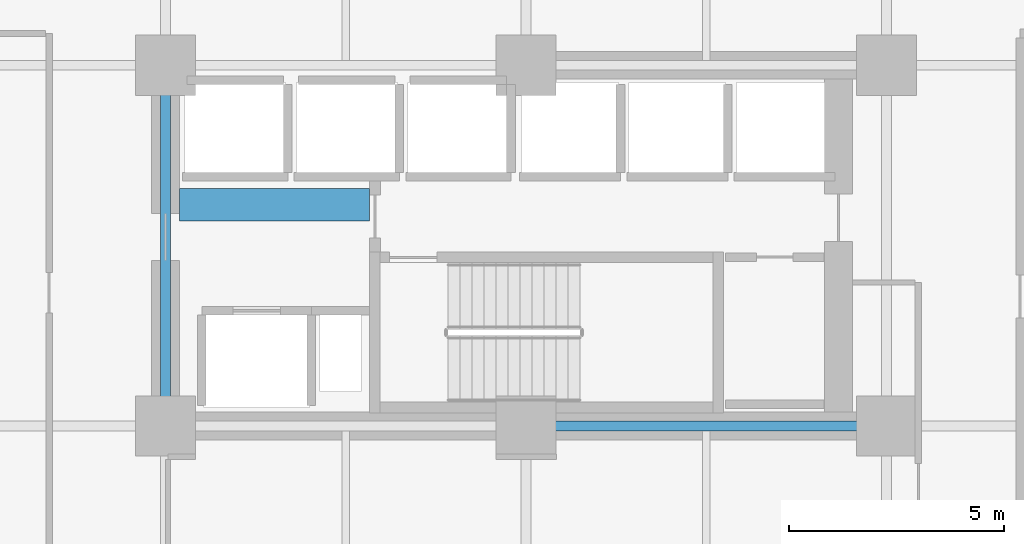
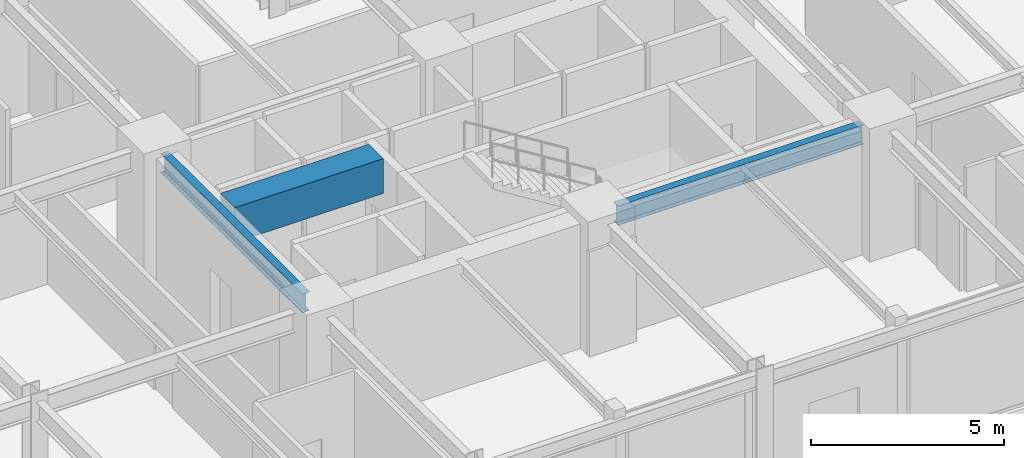
# One storey, part 5 of 25: 3 beams.
"""IFC4 building model written with IfcOpenShell, lengths in metres."""

from ifc_helpers import new_model, si_unit, direction, frame, origin, origin_2d, place, context, subcontext, project, spatial, rectangle, i_section, extrude, material, material_profile, profile_set, type_object, element, save


model = new_model("IFC4")

# Units and contexts
model_context = context("Model", 3, precision=1e-05, world=origin(), true_north=direction((0.0, 1.0)))
body_context = subcontext(model_context, "Body", "Model", "MODEL_VIEW")
ifc_project = project(units=[si_unit("LENGTHUNIT", "METRE"), si_unit("AREAUNIT", "SQUARE_METRE"), si_unit("VOLUMEUNIT", "CUBIC_METRE"), si_unit("PLANEANGLEUNIT", "RADIAN"), si_unit("MASSUNIT", "GRAM", prefix="KILO")], contexts=[model_context])

# Site, building, storey
site_placement = place(None, origin())
site = spatial("IfcSite", under=ifc_project, at=site_placement, CompositionType="ELEMENT")
building_placement = place(site_placement, origin())
building = spatial("IfcBuilding", under=site, at=building_placement, Name="Nerrivon Quay Data Exchange", CompositionType="ELEMENT")
storey_placement = place(building_placement, frame((0.0, 0.0, 29.0)))
storey = spatial("IfcBuildingStorey", under=building, at=storey_placement, Name="L06", CompositionType="ELEMENT", Elevation=29.0)

# Beams
ifc_material_1 = material(Name="Concrete S65 (65 MPa)", Category="concrete")
ifc_material_profile_1 = material_profile(ifc_material_1, rectangle(XDim=0.75, YDim=1.10009765625, at=origin_2d()), Name="RC-CB-750x1100")
ifc_profile_set_1 = profile_set([ifc_material_profile_1], Name="Concrete S65 (65 MPa)")
beam_type_1 = type_object("IfcBeamType", Name="BM-CB1-750x1100", PredefinedType="LINTEL", material=ifc_profile_set_1)
beam_1_placement = place(storey_placement, frame((17.125, 13.550048828125, 3.375), z_axis=(1.0, 0.0, 0.0), x_axis=(0.0, 1.0, 0.0)))
element("IfcBeam", 1, at=beam_1_placement, inside=storey, type_object=beam_type_1, Name="L06 East Core Coupling Beam", PredefinedType="LINTEL", context=body_context, shape_type="SweptSolid", body=[
    extrude(rectangle(XDim=0.75, YDim=1.10009765625, at=origin_2d()), origin(), (0.0, 0.0, 1.0), 4.429931640625),
])
ifc_material_2 = material(Name="Steel Grade 350", Category="steel")
ifc_material_profile_2 = material_profile(ifc_material_2, i_section(OverallWidth=0.22900390625, OverallDepth=0.612060546875, WebThickness=0.011962890625, FlangeThickness=0.01953125, FilletRadius=0.013916015625, at=origin_2d()), Name="610UB125")
ifc_profile_set_2 = profile_set([ifc_material_profile_2], Name="Steel Grade 350")
beam_type_2 = type_object("IfcBeamType", Name="BM-G1-610UB125", PredefinedType="BEAM", material=ifc_profile_set_2)
beam_2_placement = place(storey_placement, frame((25.739990234375, 8.39990234375, 3.618896484375), z_axis=(1.0, 0.0, 0.0), x_axis=(0.0, 1.0, 0.0)))
element("IfcBeam", 2, at=beam_2_placement, inside=storey, type_object=beam_type_2, Name="L06 EW Girder Y=8.4 (25.2..33.6)", PredefinedType="BEAM", context=body_context, shape_type="SweptSolid", body=[
    extrude(i_section(OverallWidth=0.22900390625, OverallDepth=0.612060546875, WebThickness=0.011962890625, FlangeThickness=0.01953125, FilletRadius=0.013916015625, at=origin_2d()), origin(), (0.0, 0.0, 1.0), 7.320068359375),
])
ifc_material_profile_3 = material_profile(ifc_material_2, i_section(OverallWidth=0.22802734375, OverallDepth=0.60205078125, WebThickness=0.010498046875, FlangeThickness=0.014892578125, FilletRadius=0.013916015625, at=origin_2d()), Name="610UB101")
ifc_profile_set_3 = profile_set([ifc_material_profile_3], Name="Steel Grade 350")
beam_type_3 = type_object("IfcBeamType", Name="BM-G2-610UB101", PredefinedType="BEAM", material=ifc_profile_set_3)
beam_3_placement = place(storey_placement, frame((16.800048828125, 8.93994140625, 3.6240234375), z_axis=(0.0, 1.0, 0.0), x_axis=(-1.0, 0.0, 0.0)))
element("IfcBeam", 3, at=beam_3_placement, inside=storey, type_object=beam_type_3, Name="L06 NS Girder X=16.8 (8.4..16.8)", PredefinedType="BEAM", context=body_context, shape_type="SweptSolid", body=[
    extrude(i_section(OverallWidth=0.22802734375, OverallDepth=0.60205078125, WebThickness=0.010498046875, FlangeThickness=0.014892578125, FilletRadius=0.013916015625, at=origin_2d()), origin(), (0.0, 0.0, 1.0), 7.320068359375),
])

save(model, "model.ifc")
